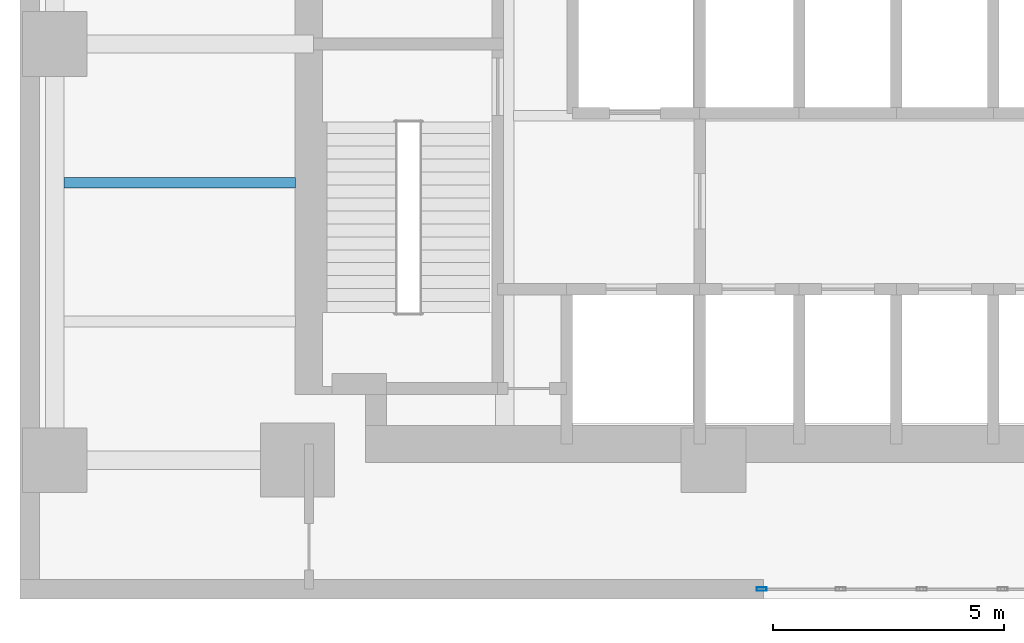
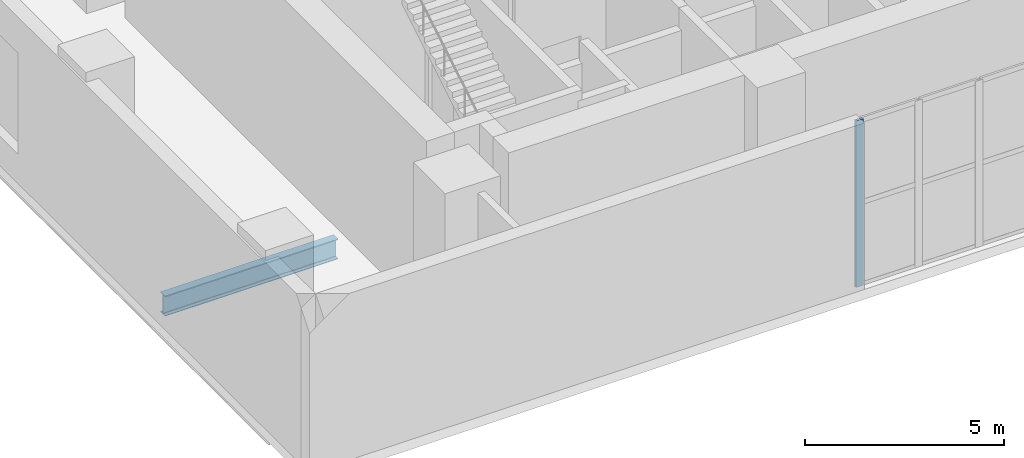
# One storey, part 2 of 20: 1 beam, 1 member, 1 element without a shape of its own.
"""IFC4 building model written with IfcOpenShell, lengths in metres."""

from ifc_helpers import new_model, si_unit, direction, frame, origin, origin_2d, place, context, subcontext, project, spatial, hollow_rectangle, i_section, extrude, material, layer, layer_set, material_profile, profile_set, type_object, element, aggregate, save


model = new_model("IFC4")

# Units and contexts
model_context = context("Model", 3, precision=1e-05, world=origin(), true_north=direction((0.0, 1.0)))
body_context = subcontext(model_context, "Body", "Model", "MODEL_VIEW")
ifc_project = project(units=[si_unit("LENGTHUNIT", "METRE"), si_unit("AREAUNIT", "SQUARE_METRE"), si_unit("VOLUMEUNIT", "CUBIC_METRE"), si_unit("PLANEANGLEUNIT", "RADIAN"), si_unit("MASSUNIT", "GRAM", prefix="KILO")], contexts=[model_context])

# Site, building, storey
site_placement = place(None, origin())
site = spatial("IfcSite", under=ifc_project, at=site_placement, CompositionType="ELEMENT")
building_placement = place(site_placement, origin())
building = spatial("IfcBuilding", under=site, at=building_placement, Name="Mawjdan Bourse Tower", CompositionType="ELEMENT")
storey_placement = place(building_placement, frame((0.0, 0.0, 5.39990234375)))
storey = spatial("IfcBuildingStorey", under=building, at=storey_placement, Name="L01", CompositionType="ELEMENT", Elevation=5.39990234375)

# Beam
ifc_material_1 = material(Name="Structural Steel S355", Category="steel")
ifc_material_profile_1 = material_profile(ifc_material_1, i_section(OverallWidth=0.22998046875, OverallDepth=0.616943359375, WebThickness=0.01318359375, FlangeThickness=0.022216796875, FilletRadius=0.017822265625, at=origin_2d()), Name="W24X94")
ifc_profile_set_1 = profile_set([ifc_material_profile_1], Name="Structural Steel S355")
beam_type = type_object("IfcBeamType", Name="JST-W24X94", PredefinedType="JOIST", material=ifc_profile_set_1)
beam_placement = place(storey_placement, frame((0.947509765625, 9.0, -0.6083984375), z_axis=(1.0, 0.0, 0.0), x_axis=(0.0, 1.0, 0.0)))
element("IfcBeam", 1, at=beam_placement, inside=storey, type_object=beam_type, Name="L01 Composite Floor Joist 080", PredefinedType="JOIST", context=body_context, shape_type="SweptSolid", body=[
    extrude(i_section(OverallWidth=0.22998046875, OverallDepth=0.616943359375, WebThickness=0.01318359375, FlangeThickness=0.022216796875, FilletRadius=0.017822265625, at=origin_2d()), origin(), (0.0, 0.0, 1.0), 5.012451171875),
])

# Curtain wall, member
ifc_material_2 = material(Name="Thermally Broken Aluminium and Solar Glass", Category="aluminium")
ifc_layer = layer(ifc_material_2, 0.219970703125)
ifc_layer_set = layer_set([ifc_layer], Name="Thermally Broken Aluminium and Solar Glass")
curtain_wall_type = type_object("IfcCurtainWallType", Name="CW-ENT", PredefinedType="USERDEFINED", material=ifc_layer_set)
curtain_wall_placement = place(storey_placement, origin())
curtain_wall = element("IfcCurtainWall", 2, at=curtain_wall_placement, inside=storey, type_object=curtain_wall_type, Name="L01 South-West Foyer Upper Curtain Wall", ObjectType="FOYER ENTRANCE CURTAIN WALL", PredefinedType="USERDEFINED")
ifc_material_3 = material(Name="Thermally Broken Anodised Aluminium", Category="aluminium")
ifc_material_profile_2 = material_profile(ifc_material_3, hollow_rectangle(XDim=0.074951171875, YDim=0.219970703125, WallThickness=0.0048828125, at=origin_2d()), Name="ALU-MUL-220X75")
ifc_profile_set_2 = profile_set([ifc_material_profile_2], Name="Thermally Broken Anodised Aluminium")
member_type = type_object("IfcMemberType", Name="MUL-ALU-MUL-220X75", PredefinedType="MULLION", material=ifc_profile_set_2)
member_placement = place(storey_placement, frame((16.03759765625, 0.2099609375, 0.0), z_axis=(0.0, 0.0, 1.0), x_axis=(0.0, 1.0, 0.0)))
member = element("IfcMember", 3, at=member_placement, type_object=member_type, Name="CW-ENT-L01-ENT-SW mullion 1", PredefinedType="MULLION", context=body_context, shape_type="SweptSolid", body=[
    extrude(hollow_rectangle(XDim=0.074951171875, YDim=0.219970703125, WallThickness=0.0048828125, at=origin_2d()), origin(), (0.0, 0.0, 1.0), 5.10009765625),
])
aggregate(curtain_wall, [member])

save(model, "model.ifc")
